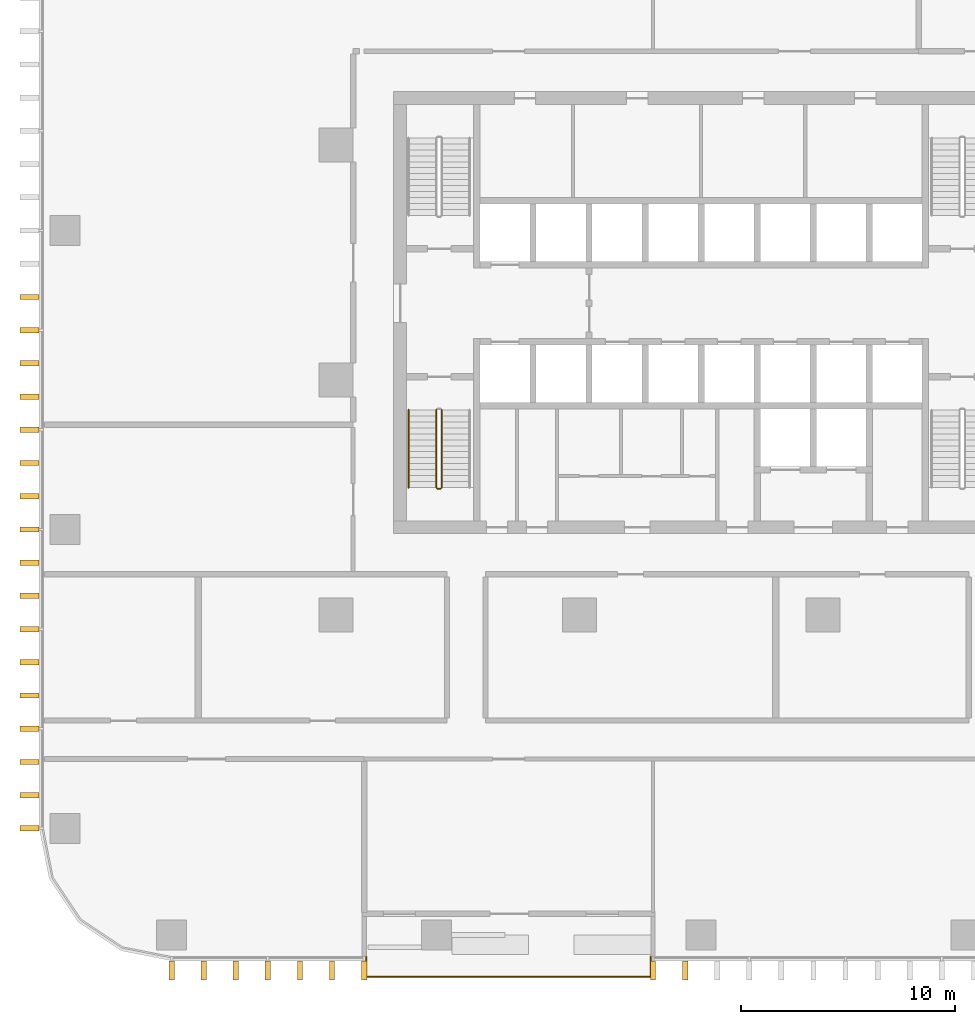
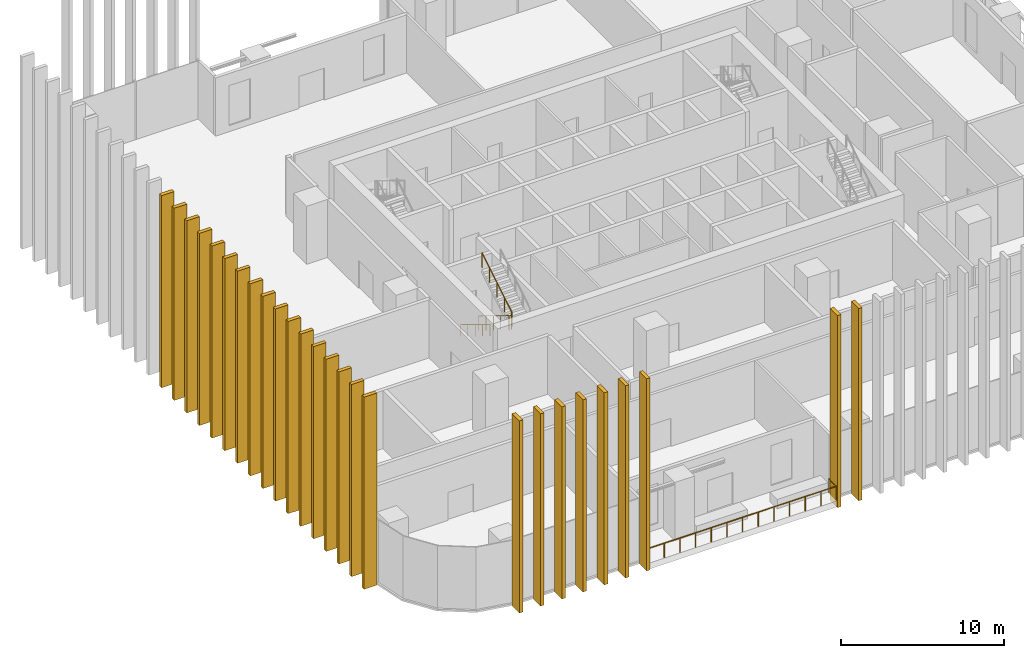
# One storey, part 11 of 16: 26 shading devices, 4 railings.
"""IFC4 building model written with IfcOpenShell, lengths in metres."""

import ifcopenshell
import ifcopenshell.guid

model = None  # the IFC model being written
_history = None  # IfcOwnerHistory: only IFC2X3 demands one
_inside = {}  # id of a spatial element -> (the spatial element, [elements in it])
_under = {}  # id of a project, library or spatial element -> (it, [spatial elements below it])
_declared = {}  # id of a project -> (the project, [libraries it declares])
_typed = {}  # id of a type object -> (the type object, [elements of that type])
_made_of = {}  # id of a material, layer set ... -> (it, [elements and type objects made of it])


def new_model(schema):
    """Start an empty IFC model of exactly this schema.

    Asked for "IFC4X3", IfcOpenShell would pick the latest addendum, in which some entities
    have other attributes; the version numbers below select the first issue.
    IFC2X3 requires an IfcOwnerHistory on every rooted entity: one is made here for all.
    """
    global model, _history
    if schema == "IFC4X3":
        model = ifcopenshell.file(schema_version=(4, 3, 0, 0))
    else:
        model = ifcopenshell.file(schema=schema)
    _inside.clear()
    _under.clear()
    _declared.clear()
    _typed.clear()
    _made_of.clear()
    _history = None
    if model.schema == "IFC2X3":
        org = make("IfcOrganization", Name="unknown")
        user = make(
            "IfcPersonAndOrganization",
            ThePerson=make("IfcPerson", FamilyName="unknown"),
            TheOrganization=org,
        )
        app = make(
            "IfcApplication",
            ApplicationDeveloper=org,
            Version="unknown",
            ApplicationFullName="unknown",
            ApplicationIdentifier="unknown",
        )
        _history = make(
            "IfcOwnerHistory",
            OwningUser=user,
            OwningApplication=app,
            ChangeAction="ADDED",
            CreationDate=0,
        )
    return model


def make(cls, **values):
    """One entity of the class cls with the attributes given. An attribute that is None is left unset."""
    return model.create_entity(
        cls, **{name: value for name, value in values.items() if value is not None}
    )


def rooted(cls, **values):
    """An entity with a GlobalId (a new one), such as an element, a storey or a relation."""
    return make(cls, GlobalId=ifcopenshell.guid.new(), OwnerHistory=_history, **values)


def si_unit(unit_type, name, prefix=None):
    """IfcSIUnit, for example si_unit("LENGTHUNIT", "METRE", prefix="MILLI")."""
    return make("IfcSIUnit", UnitType=unit_type, Prefix=prefix, Name=name)


def assignment(units):
    """IfcUnitAssignment: the units of a project."""
    return None if units is None else make("IfcUnitAssignment", Units=units)


def point(xyz):
    """IfcCartesianPoint."""
    return None if xyz is None else make("IfcCartesianPoint", Coordinates=xyz)


def direction(xyz):
    """IfcDirection."""
    return None if xyz is None else make("IfcDirection", DirectionRatios=xyz)


def frame(location, z_axis=None, x_axis=None):
    """IfcAxis2Placement3D, a coordinate frame: its origin and axes. An axis left out is left unset."""
    return make(
        "IfcAxis2Placement3D",
        Location=point(location),
        Axis=direction(z_axis),
        RefDirection=direction(x_axis),
    )


def frame_2d(location, x_axis=None):
    """IfcAxis2Placement2D, a coordinate frame in the plane: its origin and x axis."""
    return make(
        "IfcAxis2Placement2D", Location=point(location), RefDirection=direction(x_axis)
    )


def origin():
    """The frame at (0, 0, 0) with its axes left unset."""
    return frame((0.0, 0.0, 0.0))


def origin_2d():
    """The frame at (0, 0) in the plane with its x axis left unset."""
    return frame_2d((0.0, 0.0))


def place(relative_to, where):
    """IfcLocalPlacement: puts the frame where relative to a parent placement (None: the world)."""
    return make(
        "IfcLocalPlacement", PlacementRelTo=relative_to, RelativePlacement=where
    )


def context(
    kind, dimensions, precision=None, world=None, true_north=None, identifier=None
):
    """IfcGeometricRepresentationContext, for example the 3D "Model" context."""
    return make(
        "IfcGeometricRepresentationContext",
        ContextIdentifier=identifier,
        ContextType=kind,
        CoordinateSpaceDimension=dimensions,
        Precision=precision,
        WorldCoordinateSystem=world,
        TrueNorth=true_north,
    )


def subcontext(parent, identifier, kind, view, scale=None):
    """IfcGeometricRepresentationSubContext, for example "Body" below "Model"."""
    return make(
        "IfcGeometricRepresentationSubContext",
        ContextIdentifier=identifier,
        ContextType=kind,
        ParentContext=parent,
        TargetScale=scale,
        TargetView=view,
    )


def project(units=None, contexts=None):
    """IfcProject with its units and contexts."""
    return rooted(
        "IfcProject",
        Name="project",
        RepresentationContexts=contexts,
        UnitsInContext=assignment(units),
    )


def spatial(cls, under=None, at=None, **own):
    """A site, building, storey or space (cls), placed at a placement, below another one or the project."""
    s = rooted(cls, ObjectPlacement=at, **own)
    if under is not None:
        _under.setdefault(under.id(), (under, []))[1].append(s)
    return s


def profile(cls, at=None, kind="AREA", **sizes):
    """A parametric profile (cls). Its sizes go by their IFC names, for example OverallWidth=200.0."""
    return make(cls, ProfileType=kind, Position=at, **sizes)


def rectangle(**sizes):
    """IfcRectangleProfileDef."""
    return profile("IfcRectangleProfileDef", **sizes)


def circle(**sizes):
    """IfcCircleProfileDef."""
    return profile("IfcCircleProfileDef", **sizes)


def extrude(swept, where, along, depth):
    """IfcExtrudedAreaSolid: the profile swept, set in the frame where, extruded along a direction by depth."""
    return make(
        "IfcExtrudedAreaSolid",
        SweptArea=swept,
        Position=where,
        ExtrudedDirection=direction(along),
        Depth=depth,
    )


def shape(context_of_items, identifier, shape_type, items):
    """IfcShapeRepresentation: the items that make up one representation, for example the "Body"."""
    return make(
        "IfcShapeRepresentation",
        ContextOfItems=context_of_items,
        RepresentationIdentifier=identifier,
        RepresentationType=shape_type,
        Items=items,
    )


def material(Name=None, Category=None):
    """IfcMaterial."""
    return make("IfcMaterial", Name=Name, Category=Category)


def made_of(thing, what):
    """Note that an element or type object is made of a material, layer set ...; save() writes the relation."""
    if what is not None:
        _made_of.setdefault(what.id(), (what, []))[1].append(thing)
    return thing


def type_object(cls, material=None, **own):
    """A type object (cls), such as IfcWallType, which elements share."""
    return made_of(rooted(cls, **own), material)


def element(
    cls,
    number,
    at=None,
    inside=None,
    cuts=None,
    type_object=None,
    material=None,
    context=None,
    identifier="Body",
    shape_type=None,
    held_by="IfcProductDefinitionShape",
    body=None,
    shapes=None,
    **own,
):
    """One element of the class cls, such as IfcWall. Its Tag is "e" and its number.

    at: its placement. inside: the storey or other place that contains it. cuts: it is an
    opening in that element (IfcRelVoidsElement). A single representation is given by context,
    identifier, shape_type and body (its items); several are given by shapes. held_by: the class
    of the entity that holds the representations. save() writes the other relations.
    """
    e = rooted(cls, Tag="e%d" % number, ObjectPlacement=at, **own)
    if body is not None:
        shapes = [shape(context, identifier, shape_type, body)]
    if shapes is not None:
        e.Representation = make(held_by, Representations=shapes)
    if inside is not None:
        _inside.setdefault(inside.id(), (inside, []))[1].append(e)
    if cuts is not None:
        rooted(
            "IfcRelVoidsElement", RelatingBuildingElement=cuts, RelatedOpeningElement=e
        )
    if type_object is not None:
        _typed.setdefault(type_object.id(), (type_object, []))[1].append(e)
    return made_of(e, material)


def aggregate(whole, parts):
    """IfcRelAggregates: a whole, such as a stair, and the parts it consists of."""
    return rooted("IfcRelAggregates", RelatingObject=whole, RelatedObjects=parts)


def save(model, path):
    """Write the relations noted so far, then the file.

    IfcRelAggregates (storeys below a building ...), IfcRelContainedInSpatialStructure (elements
    in a storey), IfcRelDefinesByType, IfcRelAssociatesMaterial and IfcRelDeclares: one each for
    every whole, place, type object, material and project.
    """
    for whole, parts in _under.values():
        aggregate(whole, parts)
    for where, things in _inside.values():
        rooted(
            "IfcRelContainedInSpatialStructure",
            RelatedElements=things,
            RelatingStructure=where,
        )
    for kind, things in _typed.values():
        rooted("IfcRelDefinesByType", RelatedObjects=things, RelatingType=kind)
    for what, things in _made_of.values():
        rooted("IfcRelAssociatesMaterial", RelatedObjects=things, RelatingMaterial=what)
    for by, libraries in _declared.values():
        rooted("IfcRelDeclares", RelatingContext=by, RelatedDefinitions=libraries)
    model.write(path)


model = new_model("IFC4")

# Units and contexts
model_context = context("Model", 3, precision=1e-05, world=origin(), true_north=direction((0.0, 1.0)))
body_context = subcontext(model_context, "Body", "Model", "MODEL_VIEW")
ifc_project = project(units=[si_unit("LENGTHUNIT", "METRE"), si_unit("AREAUNIT", "SQUARE_METRE"), si_unit("VOLUMEUNIT", "CUBIC_METRE"), si_unit("PLANEANGLEUNIT", "RADIAN"), si_unit("MASSUNIT", "GRAM", prefix="KILO")], contexts=[model_context])

# Site, building, storey
site_placement = place(None, origin())
site = spatial("IfcSite", under=ifc_project, at=site_placement, CompositionType="ELEMENT")
building_placement = place(site_placement, origin())
building = spatial("IfcBuilding", under=site, at=building_placement, Name="Mopane Tessera Tower", CompositionType="ELEMENT")
storey_placement = place(building_placement, frame((0.0, 0.0, 59.800048828125)))
storey = spatial("IfcBuildingStorey", under=building, at=storey_placement, Name="L11", CompositionType="ELEMENT", Elevation=59.800048828125)

# Shading devices
ifc_material_1 = material(Name="Glazed ceramic tile")
shading_device_type = type_object("IfcShadingDeviceType", Name="Ceramic tile fin 900 x 250 mm", PredefinedType="USERDEFINED", material=ifc_material_1)
for number, where, z_axis, x_axis, name in (
    (1, (-24.800048828125, -27.64990234375, -0.449951171875), (0.0, 0.0, 1.0), (1.0, 0.0, 0.0), "e:fin:L11:S:0:0"),
    (2, (-23.296875, -27.64990234375, -0.449951171875), (0.0, 0.0, 1.0), (1.0, 0.0, 0.0), "e:fin:L11:S:0:1"),
    (3, (-21.7939453125, -27.64990234375, -0.449951171875), (0.0, 0.0, 1.0), (1.0, 0.0, 0.0), "e:fin:L11:S:0:2"),
    (4, (-20.291015625, -27.64990234375, -0.449951171875), (0.0, 0.0, 1.0), (1.0, 0.0, 0.0), "e:fin:L11:S:1:0"),
    (5, (-18.787841796875, -27.64990234375, -0.449951171875), (0.0, 0.0, 1.0), (1.0, 0.0, 0.0), "e:fin:L11:S:1:1"),
    (6, (-17.284912109375, -27.64990234375, -0.449951171875), (0.0, 0.0, 1.0), (1.0, 0.0, 0.0), "e:fin:L11:S:1:2"),
    (7, (-15.78173828125, -27.64990234375, -0.449951171875), (0.0, 0.0, 1.0), (1.0, 0.0, 0.0), "e:fin:L11:S:1:3"),
    (8, (-2.254638671875, -27.64990234375, -0.449951171875), (0.0, 0.0, 1.0), (1.0, 0.0, 0.0), "e:fin:L11:S:5:0"),
    (9, (-0.75146484375, -27.64990234375, -0.449951171875), (0.0, 0.0, 1.0), (1.0, 0.0, 0.0), "e:fin:L11:S:5:1"),
    (10, (-31.449951171875, 3.888916015625, -0.449951171875), (0.0, 0.0, 1.0), (0.0, -1.0, 0.0), "e:fin:L11:W:3:2"),
    (11, (-31.449951171875, 2.333251953125, -0.449951171875), (0.0, 0.0, 1.0), (0.0, -1.0, 0.0), "e:fin:L11:W:4:0"),
    (12, (-31.449951171875, 0.77783203125, -0.449951171875), (0.0, 0.0, 1.0), (0.0, -1.0, 0.0), "e:fin:L11:W:4:1"),
    (13, (-31.449951171875, -0.77783203125, -0.449951171875), (0.0, 0.0, 1.0), (0.0, -1.0, 0.0), "e:fin:L11:W:4:2"),
    (14, (-31.449951171875, -2.333251953125, -0.449951171875), (0.0, 0.0, 1.0), (0.0, -1.0, 0.0), "e:fin:L11:W:5:0"),
    (15, (-31.449951171875, -3.888916015625, -0.449951171875), (0.0, 0.0, 1.0), (0.0, -1.0, 0.0), "e:fin:L11:W:5:1"),
    (16, (-31.449951171875, -5.4443359375, -0.449951171875), (0.0, 0.0, 1.0), (0.0, -1.0, 0.0), "e:fin:L11:W:5:2"),
    (17, (-31.449951171875, -7.0, -0.449951171875), (0.0, 0.0, 1.0), (0.0, -1.0, 0.0), "e:fin:L11:W:6:0"),
    (18, (-31.449951171875, -8.5556640625, -0.449951171875), (0.0, 0.0, 1.0), (0.0, -1.0, 0.0), "e:fin:L11:W:6:1"),
    (19, (-31.449951171875, -10.111083984375, -0.449951171875), (0.0, 0.0, 1.0), (0.0, -1.0, 0.0), "e:fin:L11:W:6:2"),
    (20, (-31.449951171875, -11.666748046875, -0.449951171875), (0.0, 0.0, 1.0), (0.0, -1.0, 0.0), "e:fin:L11:W:7:0"),
    (21, (-31.449951171875, -13.22216796875, -0.449951171875), (0.0, 0.0, 1.0), (0.0, -1.0, 0.0), "e:fin:L11:W:7:1"),
    (22, (-31.449951171875, -14.77783203125, -0.449951171875), (0.0, 0.0, 1.0), (0.0, -1.0, 0.0), "e:fin:L11:W:7:2"),
    (23, (-31.449951171875, -16.333251953125, -0.449951171875), (0.0, 0.0, 1.0), (0.0, -1.0, 0.0), "e:fin:L11:W:8:0"),
    (24, (-31.449951171875, -17.888916015625, -0.449951171875), (0.0, 0.0, 1.0), (0.0, -1.0, 0.0), "e:fin:L11:W:8:1"),
    (25, (-31.449951171875, -19.4443359375, -0.449951171875), (0.0, 0.0, 1.0), (0.0, -1.0, 0.0), "e:fin:L11:W:8:2"),
    (26, (-31.449951171875, -21.0, -0.449951171875), (0.0, 0.0, 1.0), (0.0, -1.0, 0.0), "e:fin:L11:W:8:3"),
):
    element("IfcShadingDevice", number, at=place(storey_placement, frame(where, z_axis=z_axis, x_axis=x_axis)), inside=storey, type_object=shading_device_type, Name=name, ObjectType="FIN", PredefinedType="USERDEFINED", context=body_context, shape_type="SweptSolid", body=[
        extrude(rectangle(XDim=0.25, YDim=0.89990234375, at=origin_2d()), origin(), (0.0, 0.0, 1.0), 14.39990234375),
    ])

# Railings
ifc_material_2 = material(Name="Powder-coated steel balustrade", Category="steel")
railing_type_1 = type_object("IfcRailingType", Name="Escape stair guard 1100 mm", PredefinedType="GUARDRAIL", material=ifc_material_2)
railing_1_placement = place(storey_placement, frame((-12.39990234375, -1.39990234375, 0.17138671875)))
element("IfcRailing", 27, at=railing_1_placement, inside=storey, type_object=railing_type_1, Name="L11 ST1 stair guard 1", PredefinedType="GUARDRAIL", context=body_context, shape_type="SweptSolid", body=[
    extrude(circle(Radius=0.02392578125, at=origin_2d()), frame((0.0, 0.0, 1.076171875), z_axis=(0.0, -0.852865859571, 0.52213008492), x_axis=(1.0, 0.0, 0.0)), (0.0, 0.0, 1.0), 4.26806640625),
    extrude(circle(Radius=0.02392578125, at=origin_2d()), frame((0.0, -3.64013671875, 3.3046875), z_axis=(0.705375805398, -0.708833529934, 0.0), x_axis=(0.708833529934, 0.705375805398, 0.0)), (0.0, 0.0, 1.0), 0.070556640625),
    extrude(circle(Radius=0.02392578125, at=origin_2d()), frame((0.0498046875, -3.690185546875, 3.3046875), z_axis=(1.0, 0.0, 0.0), x_axis=(0.0, 1.0, 0.0)), (0.0, 0.0, 1.0), 0.150146484375),
    extrude(circle(Radius=0.02099609375, at=origin_2d()), origin(), (0.0, 0.0, 1.0), 1.052001953125),
    extrude(circle(Radius=0.02099609375, at=origin_2d()), frame((0.0, -0.91015625, 0.55712890625)), (0.0, 0.0, 1.0), 1.052001953125),
    extrude(circle(Radius=0.02099609375, at=origin_2d()), frame((0.0, -1.820068359375, 1.1142578125)), (0.0, 0.0, 1.0), 1.052001953125),
    extrude(circle(Radius=0.02099609375, at=origin_2d()), frame((0.0, -2.72998046875, 1.67138671875)), (0.0, 0.0, 1.0), 1.052001953125),
    extrude(circle(Radius=0.02099609375, at=origin_2d()), frame((0.0, -3.64013671875, 2.228515625)), (0.0, 0.0, 1.0), 1.052001953125),
    extrude(circle(Radius=0.02099609375, at=origin_2d()), frame((0.0498046875, -3.690185546875, 2.228515625)), (0.0, 0.0, 1.0), 1.052001953125),
    extrude(circle(Radius=0.02099609375, at=origin_2d()), frame((0.199951171875, -3.690185546875, 2.228515625)), (0.0, 0.0, 1.0), 1.052001953125),
])
railing_2_placement = place(storey_placement, frame((-12.14990234375, -5.0400390625, 2.5712890625)))
element("IfcRailing", 28, at=railing_2_placement, inside=storey, type_object=railing_type_1, Name="L11 ST1 stair guard 2", PredefinedType="GUARDRAIL", context=body_context, shape_type="SweptSolid", body=[
    extrude(circle(Radius=0.02392578125, at=origin_2d()), frame((0.0, 0.0, 1.076171875), z_axis=(0.0, 0.852840387347, 0.522171689878), x_axis=(-1.0, 0.0, 0.0)), (0.0, 0.0, 1.0), 4.268310546875),
    extrude(circle(Radius=0.02099609375, at=origin_2d()), origin(), (0.0, 0.0, 1.0), 1.052001953125),
    extrude(circle(Radius=0.02099609375, at=origin_2d()), frame((0.0, 0.91015625, 0.55712890625)), (0.0, 0.0, 1.0), 1.052001953125),
    extrude(circle(Radius=0.02099609375, at=origin_2d()), frame((0.0, 1.820068359375, 1.1142578125)), (0.0, 0.0, 1.0), 1.052001953125),
    extrude(circle(Radius=0.02099609375, at=origin_2d()), frame((0.0, 2.72998046875, 1.671630859375)), (0.0, 0.0, 1.0), 1.052001953125),
    extrude(circle(Radius=0.02099609375, at=origin_2d()), frame((0.0, 3.64013671875, 2.228759765625)), (0.0, 0.0, 1.0), 1.052001953125),
])
ifc_material_3 = material(Name="Powder-coated steel balustrade", Category="steel")
railing_type_2 = type_object("IfcRailingType", Name="Escape stair handrail 900 mm", PredefinedType="HANDRAIL", material=ifc_material_3)
railing_3_placement = place(storey_placement, frame((-13.699951171875, -1.39990234375, 0.17138671875)))
element("IfcRailing", 29, at=railing_3_placement, inside=storey, type_object=railing_type_2, Name="L11 ST1 stair handrail 1", PredefinedType="HANDRAIL", context=body_context, shape_type="SweptSolid", body=[
    extrude(circle(Radius=0.02392578125, at=origin_2d()), frame((0.0, 0.0, 0.8759765625), z_axis=(0.0, -0.852865859571, 0.52213008492), x_axis=(1.0, 0.0, 0.0)), (0.0, 0.0, 1.0), 4.26806640625),
    extrude(circle(Radius=0.02099609375, at=origin_2d()), origin(), (0.0, 0.0, 1.0), 0.851806640625),
    extrude(circle(Radius=0.02099609375, at=origin_2d()), frame((0.0, -0.91015625, 0.55712890625)), (0.0, 0.0, 1.0), 0.851806640625),
    extrude(circle(Radius=0.02099609375, at=origin_2d()), frame((0.0, -1.820068359375, 1.1142578125)), (0.0, 0.0, 1.0), 0.851806640625),
    extrude(circle(Radius=0.02099609375, at=origin_2d()), frame((0.0, -2.72998046875, 1.67138671875)), (0.0, 0.0, 1.0), 0.851806640625),
    extrude(circle(Radius=0.02099609375, at=origin_2d()), frame((0.0, -3.64013671875, 2.228515625)), (0.0, 0.0, 1.0), 0.851806640625),
])
ifc_material_4 = material(Name="Stainless steel S316", Category="steel")
railing_type_3 = type_object("IfcRailingType", Name="Terrace guard 1100", PredefinedType="GUARDRAIL", material=ifc_material_4)
railing_4_placement = place(storey_placement, frame((-15.681884765625, -27.0, 0.0)))
element("IfcRailing", 30, at=railing_4_placement, inside=storey, type_object=railing_type_3, Name="e:nw:L11:N3:guard", PredefinedType="GUARDRAIL", context=body_context, shape_type="SweptSolid", body=[
    extrude(circle(Radius=0.02392578125, at=origin_2d()), frame((0.0, 0.0, 1.076171875), z_axis=(0.0, -1.0, 0.0), x_axis=(1.0, 0.0, 0.0)), (0.0, 0.0, 1.0), 0.949951171875),
    extrude(circle(Radius=0.02392578125, at=origin_2d()), frame((0.0, -0.949951171875, 1.076171875), z_axis=(1.0, 0.0, 0.0), x_axis=(0.0, 1.0, 0.0)), (0.0, 0.0, 1.0), 13.327392578125),
    extrude(circle(Radius=0.02392578125, at=origin_2d()), frame((13.327392578125, -0.949951171875, 1.076171875), z_axis=(0.0, 1.0, 0.0), x_axis=(-1.0, 0.0, 0.0)), (0.0, 0.0, 1.0), 0.949951171875),
    extrude(circle(Radius=0.02099609375, at=origin_2d()), origin(), (0.0, 0.0, 1.0), 1.052001953125),
    extrude(circle(Radius=0.02099609375, at=origin_2d()), frame((0.0, -0.949951171875, 0.0)), (0.0, 0.0, 1.0), 1.052001953125),
    extrude(circle(Radius=0.02099609375, at=origin_2d()), frame((1.110595703125, -0.949951171875, 0.0)), (0.0, 0.0, 1.0), 1.052001953125),
    extrude(circle(Radius=0.02099609375, at=origin_2d()), frame((2.22119140625, -0.949951171875, 0.0)), (0.0, 0.0, 1.0), 1.052001953125),
    extrude(circle(Radius=0.02099609375, at=origin_2d()), frame((3.331787109375, -0.949951171875, 0.0)), (0.0, 0.0, 1.0), 1.052001953125),
    extrude(circle(Radius=0.02099609375, at=origin_2d()), frame((4.4423828125, -0.949951171875, 0.0)), (0.0, 0.0, 1.0), 1.052001953125),
    extrude(circle(Radius=0.02099609375, at=origin_2d()), frame((5.552978515625, -0.949951171875, 0.0)), (0.0, 0.0, 1.0), 1.052001953125),
    extrude(circle(Radius=0.02099609375, at=origin_2d()), frame((6.66357421875, -0.949951171875, 0.0)), (0.0, 0.0, 1.0), 1.052001953125),
    extrude(circle(Radius=0.02099609375, at=origin_2d()), frame((7.7744140625, -0.949951171875, 0.0)), (0.0, 0.0, 1.0), 1.052001953125),
    extrude(circle(Radius=0.02099609375, at=origin_2d()), frame((8.885009765625, -0.949951171875, 0.0)), (0.0, 0.0, 1.0), 1.052001953125),
    extrude(circle(Radius=0.02099609375, at=origin_2d()), frame((9.99560546875, -0.949951171875, 0.0)), (0.0, 0.0, 1.0), 1.052001953125),
    extrude(circle(Radius=0.02099609375, at=origin_2d()), frame((11.106201171875, -0.949951171875, 0.0)), (0.0, 0.0, 1.0), 1.052001953125),
    extrude(circle(Radius=0.02099609375, at=origin_2d()), frame((12.216796875, -0.949951171875, 0.0)), (0.0, 0.0, 1.0), 1.052001953125),
    extrude(circle(Radius=0.02099609375, at=origin_2d()), frame((13.327392578125, -0.949951171875, 0.0)), (0.0, 0.0, 1.0), 1.052001953125),
    extrude(circle(Radius=0.02099609375, at=origin_2d()), frame((13.327392578125, 0.0, 0.0)), (0.0, 0.0, 1.0), 1.052001953125),
])

save(model, "model.ifc")
